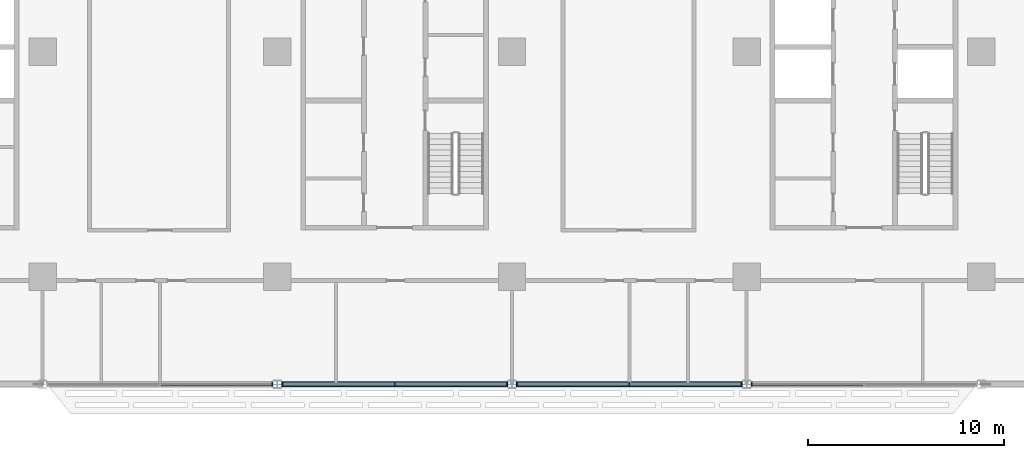
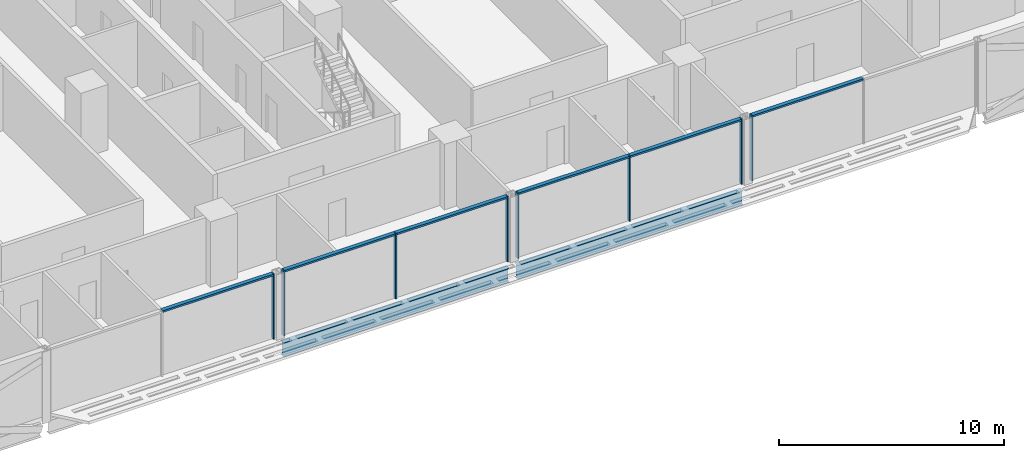
# One storey, part 5 of 29: 14 members, 2 beams, 4 elements without a shape of their own.
"""IFC4 building model written with IfcOpenShell, lengths in metres."""

from ifc_helpers import new_model, si_unit, direction, frame, origin, origin_2d, place, context, subcontext, project, spatial, rectangle, i_section, extrude, material, material_profile, profile_set, type_object, element, aggregate, save


model = new_model("IFC4")

# Units and contexts
model_context = context("Model", 3, precision=1e-05, world=origin(), true_north=direction((0.0, 1.0)))
body_context = subcontext(model_context, "Body", "Model", "MODEL_VIEW")
ifc_project = project(units=[si_unit("LENGTHUNIT", "METRE"), si_unit("AREAUNIT", "SQUARE_METRE"), si_unit("VOLUMEUNIT", "CUBIC_METRE"), si_unit("PLANEANGLEUNIT", "RADIAN"), si_unit("MASSUNIT", "GRAM", prefix="KILO")], contexts=[model_context])

# Site, building, storey
site_placement = place(None, origin())
site = spatial("IfcSite", under=ifc_project, at=site_placement, CompositionType="ELEMENT")
building_placement = place(site_placement, origin())
building = spatial("IfcBuilding", under=site, at=building_placement, Name="Mahtab Terrace Research Tower", CompositionType="ELEMENT")
storey_placement = place(building_placement, frame((0.0, 0.0, 113.5)))
storey = spatial("IfcBuildingStorey", under=building, at=storey_placement, Name="L26", CompositionType="ELEMENT", Elevation=113.5)

# Curtain wall, member
ifc_material_1 = material(Name="Laboratory ribbon curtain wall")
curtain_wall_type = type_object("IfcCurtainWallType", Name="Laboratory ribbon curtain wall", PredefinedType="NOTDEFINED", material=ifc_material_1)
curtain_wall_1_placement = place(storey_placement, origin())
curtain_wall_1 = element("IfcCurtainWall", 1, at=curtain_wall_1_placement, inside=storey, type_object=curtain_wall_type, Name="EN.L26.13.25", PredefinedType="NOTDEFINED")
ifc_material_2 = material(Name="Natural anodised aluminium", Category="aluminium")
ifc_material_profile_1 = material_profile(ifc_material_2, rectangle(XDim=0.199951171875, YDim=0.06494140625, at=origin_2d()), Name="MULLION 65x200")
ifc_profile_set_1 = profile_set([ifc_material_profile_1], Name="Natural anodised aluminium")
member_type_1 = type_object("IfcMemberType", Name="Laboratory ribbon curtain wall mullion", PredefinedType="MULLION", material=ifc_profile_set_1)
member_1_placement = place(storey_placement, frame((-6.260498046875, -17.0, 0.0), z_axis=(0.0, 0.0, 1.0), x_axis=(0.0, 1.0, 0.0)))
member_1 = element("IfcMember", 2, at=member_1_placement, type_object=member_type_1, Name="CWL-3 mullion 3", PredefinedType="MULLION", context=body_context, shape_type="SweptSolid", body=[
    extrude(rectangle(XDim=0.199951171875, YDim=0.06494140625, at=origin_2d()), origin(), (0.0, 0.0, 1.0), 3.550048828125),
])

# Curtain wall, members
curtain_wall_2_placement = place(storey_placement, origin())
curtain_wall_2 = element("IfcCurtainWall", 3, at=curtain_wall_2_placement, inside=storey, type_object=curtain_wall_type, Name="EN.L26.13.26", PredefinedType="NOTDEFINED")
member_2_placement = place(storey_placement, frame((-5.739501953125, -17.0, 0.0), z_axis=(0.0, 0.0, 1.0), x_axis=(0.0, 1.0, 0.0)))
member_2 = element("IfcMember", 4, at=member_2_placement, type_object=member_type_1, Name="CWL-3 mullion 1", PredefinedType="MULLION", context=body_context, shape_type="SweptSolid", body=[
    extrude(rectangle(XDim=0.199951171875, YDim=0.06494140625, at=origin_2d()), origin(), (0.0, 0.0, 1.0), 3.550048828125),
])
member_3_placement = place(storey_placement, frame((0.0, -17.0, 0.0), z_axis=(0.0, 0.0, 1.0), x_axis=(0.0, 1.0, 0.0)))
member_3 = element("IfcMember", 5, at=member_3_placement, type_object=member_type_1, Name="CWL-3 mullion 2", PredefinedType="MULLION", context=body_context, shape_type="SweptSolid", body=[
    extrude(rectangle(XDim=0.199951171875, YDim=0.06494140625, at=origin_2d()), origin(), (0.0, 0.0, 1.0), 3.550048828125),
])
member_4_placement = place(storey_placement, frame((5.739501953125, -17.0, 0.0), z_axis=(0.0, 0.0, 1.0), x_axis=(0.0, 1.0, 0.0)))
member_4 = element("IfcMember", 6, at=member_4_placement, type_object=member_type_1, Name="CWL-3 mullion 3", PredefinedType="MULLION", context=body_context, shape_type="SweptSolid", body=[
    extrude(rectangle(XDim=0.199951171875, YDim=0.06494140625, at=origin_2d()), origin(), (0.0, 0.0, 1.0), 3.550048828125),
])

curtain_wall_3_placement = place(storey_placement, origin())
curtain_wall_3 = element("IfcCurtainWall", 7, at=curtain_wall_3_placement, inside=storey, type_object=curtain_wall_type, Name="EN.L26.13.27", PredefinedType="NOTDEFINED")
member_5_placement = place(storey_placement, frame((6.260498046875, -17.0, 0.0), z_axis=(0.0, 0.0, 1.0), x_axis=(0.0, 1.0, 0.0)))
member_5 = element("IfcMember", 8, at=member_5_placement, type_object=member_type_1, Name="CWL-3 mullion 1", PredefinedType="MULLION", context=body_context, shape_type="SweptSolid", body=[
    extrude(rectangle(XDim=0.199951171875, YDim=0.06494140625, at=origin_2d()), origin(), (0.0, 0.0, 1.0), 3.550048828125),
])
member_6_placement = place(storey_placement, frame((12.0, -17.0, 0.0), z_axis=(0.0, 0.0, 1.0), x_axis=(0.0, 1.0, 0.0)))
member_6 = element("IfcMember", 9, at=member_6_placement, type_object=member_type_1, Name="CWL-3 mullion 2", PredefinedType="MULLION", context=body_context, shape_type="SweptSolid", body=[
    extrude(rectangle(XDim=0.199951171875, YDim=0.06494140625, at=origin_2d()), origin(), (0.0, 0.0, 1.0), 3.550048828125),
])
member_7_placement = place(storey_placement, frame((17.739501953125, -17.0, 0.0), z_axis=(0.0, 0.0, 1.0), x_axis=(0.0, 1.0, 0.0)))
member_7 = element("IfcMember", 10, at=member_7_placement, type_object=member_type_1, Name="CWL-3 mullion 3", PredefinedType="MULLION", context=body_context, shape_type="SweptSolid", body=[
    extrude(rectangle(XDim=0.199951171875, YDim=0.06494140625, at=origin_2d()), origin(), (0.0, 0.0, 1.0), 3.550048828125),
])

# Curtain wall, member
curtain_wall_4_placement = place(storey_placement, origin())
curtain_wall_4 = element("IfcCurtainWall", 11, at=curtain_wall_4_placement, inside=storey, type_object=curtain_wall_type, Name="EN.L26.13.28", PredefinedType="NOTDEFINED")
member_8_placement = place(storey_placement, frame((18.260498046875, -17.0, 0.0), z_axis=(0.0, 0.0, 1.0), x_axis=(0.0, 1.0, 0.0)))
member_8 = element("IfcMember", 12, at=member_8_placement, type_object=member_type_1, Name="CWL-3 mullion 1", PredefinedType="MULLION", context=body_context, shape_type="SweptSolid", body=[
    extrude(rectangle(XDim=0.199951171875, YDim=0.06494140625, at=origin_2d()), origin(), (0.0, 0.0, 1.0), 3.550048828125),
])

# Member
ifc_material_profile_2 = material_profile(ifc_material_2, rectangle(XDim=0.199951171875, YDim=0.10009765625, at=origin_2d()), Name="TRANSOM 100x200")
ifc_profile_set_2 = profile_set([ifc_material_profile_2], Name="Natural anodised aluminium")
member_type_2 = type_object("IfcMemberType", Name="Laboratory ribbon curtain wall transom", PredefinedType="USERDEFINED", material=ifc_profile_set_2)
member_9_placement = place(storey_placement, frame((-11.967529296875, -17.0, 3.5), z_axis=(1.0, 0.0, 0.0), x_axis=(0.0, 1.0, 0.0)))
member_9 = element("IfcMember", 13, at=member_9_placement, type_object=member_type_2, Name="CWL-3 transom 2", ObjectType="TRANSOM", PredefinedType="USERDEFINED", context=body_context, shape_type="SweptSolid", body=[
    extrude(rectangle(XDim=0.199951171875, YDim=0.10009765625, at=origin_2d()), origin(), (0.0, 0.0, 1.0), 5.674560546875),
])

aggregate(curtain_wall_1, [member_1, member_9])

member_10_placement = place(storey_placement, frame((-5.70703125, -17.0, 3.5), z_axis=(1.0, 0.0, 0.0), x_axis=(0.0, 1.0, 0.0)))
member_10 = element("IfcMember", 14, at=member_10_placement, type_object=member_type_2, Name="CWL-3 transom 1", ObjectType="TRANSOM", PredefinedType="USERDEFINED", context=body_context, shape_type="SweptSolid", body=[
    extrude(rectangle(XDim=0.199951171875, YDim=0.10009765625, at=origin_2d()), origin(), (0.0, 0.0, 1.0), 5.674560546875),
])

member_11_placement = place(storey_placement, frame((0.032470703125, -17.0, 3.5), z_axis=(1.0, 0.0, 0.0), x_axis=(0.0, 1.0, 0.0)))
member_11 = element("IfcMember", 15, at=member_11_placement, type_object=member_type_2, Name="CWL-3 transom 2", ObjectType="TRANSOM", PredefinedType="USERDEFINED", context=body_context, shape_type="SweptSolid", body=[
    extrude(rectangle(XDim=0.199951171875, YDim=0.10009765625, at=origin_2d()), origin(), (0.0, 0.0, 1.0), 5.674560546875),
])

aggregate(curtain_wall_2, [member_2, member_3, member_4, member_10, member_11])

member_12_placement = place(storey_placement, frame((6.29296875, -17.0, 3.5), z_axis=(1.0, 0.0, 0.0), x_axis=(0.0, 1.0, 0.0)))
member_12 = element("IfcMember", 16, at=member_12_placement, type_object=member_type_2, Name="CWL-3 transom 1", ObjectType="TRANSOM", PredefinedType="USERDEFINED", context=body_context, shape_type="SweptSolid", body=[
    extrude(rectangle(XDim=0.199951171875, YDim=0.10009765625, at=origin_2d()), origin(), (0.0, 0.0, 1.0), 5.674560546875),
])

member_13_placement = place(storey_placement, frame((12.032470703125, -17.0, 3.5), z_axis=(1.0, 0.0, 0.0), x_axis=(0.0, 1.0, 0.0)))
member_13 = element("IfcMember", 17, at=member_13_placement, type_object=member_type_2, Name="CWL-3 transom 2", ObjectType="TRANSOM", PredefinedType="USERDEFINED", context=body_context, shape_type="SweptSolid", body=[
    extrude(rectangle(XDim=0.199951171875, YDim=0.10009765625, at=origin_2d()), origin(), (0.0, 0.0, 1.0), 5.674560546875),
])

aggregate(curtain_wall_3, [member_5, member_6, member_7, member_12, member_13])

member_14_placement = place(storey_placement, frame((18.29296875, -17.0, 3.5), z_axis=(1.0, 0.0, 0.0), x_axis=(0.0, 1.0, 0.0)))
member_14 = element("IfcMember", 18, at=member_14_placement, type_object=member_type_2, Name="CWL-3 transom 1", ObjectType="TRANSOM", PredefinedType="USERDEFINED", context=body_context, shape_type="SweptSolid", body=[
    extrude(rectangle(XDim=0.199951171875, YDim=0.10009765625, at=origin_2d()), origin(), (0.0, 0.0, 1.0), 5.674560546875),
])

aggregate(curtain_wall_4, [member_8, member_14])

# Beams
ifc_material_3 = material(Name="Steel ASTM A992 Gr 50", Category="steel")
ifc_material_profile_3 = material_profile(ifc_material_3, i_section(OverallWidth=0.2666015625, OverallDepth=0.7568359375, WebThickness=0.013916015625, FlangeThickness=0.019287109375, at=origin_2d()), Name="W30X108")
ifc_profile_set_3 = profile_set([ifc_material_profile_3], Name="Steel ASTM A992 Gr 50")
beam_type = type_object("IfcBeamType", Name="W30x108 beam BS30108", PredefinedType="BEAM", material=ifc_profile_set_3)
for number, where, z_axis, x_axis, name in (
    (19, (-5.79052734375, -17.0, -0.718505859375), (1.0, 0.0, 0.0), (0.0, 1.0, 0.0), "Spandrel beam L26 15"),
    (20, (6.20947265625, -17.0, -0.718505859375), (1.0, 0.0, 0.0), (0.0, 1.0, 0.0), "Spandrel beam L26 16"),
):
    element("IfcBeam", number, at=place(storey_placement, frame(where, z_axis=z_axis, x_axis=x_axis)), inside=storey, type_object=beam_type, Name=name, PredefinedType="BEAM", context=body_context, shape_type="SweptSolid", body=[
        extrude(i_section(OverallWidth=0.2666015625, OverallDepth=0.7568359375, WebThickness=0.013916015625, FlangeThickness=0.019287109375, at=origin_2d()), origin(), (0.0, 0.0, 1.0), 11.5810546875),
    ])

save(model, "model.ifc")
